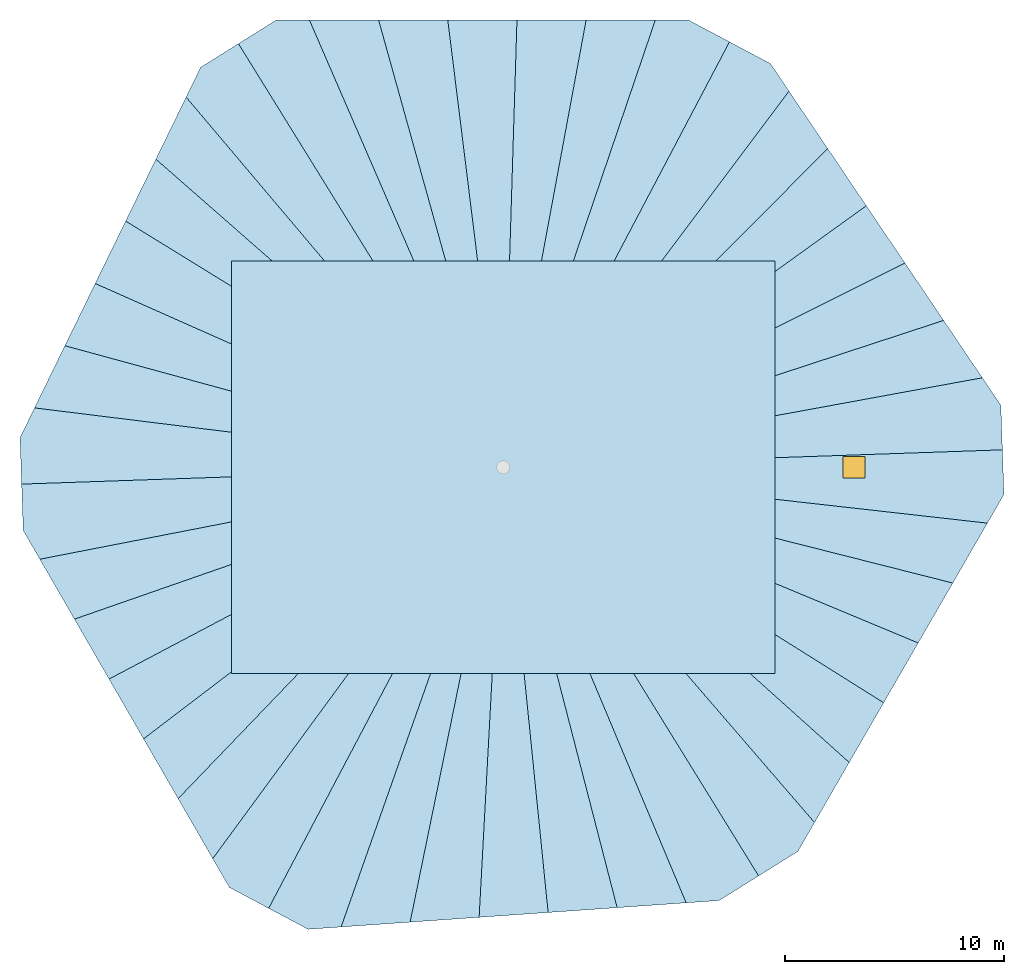
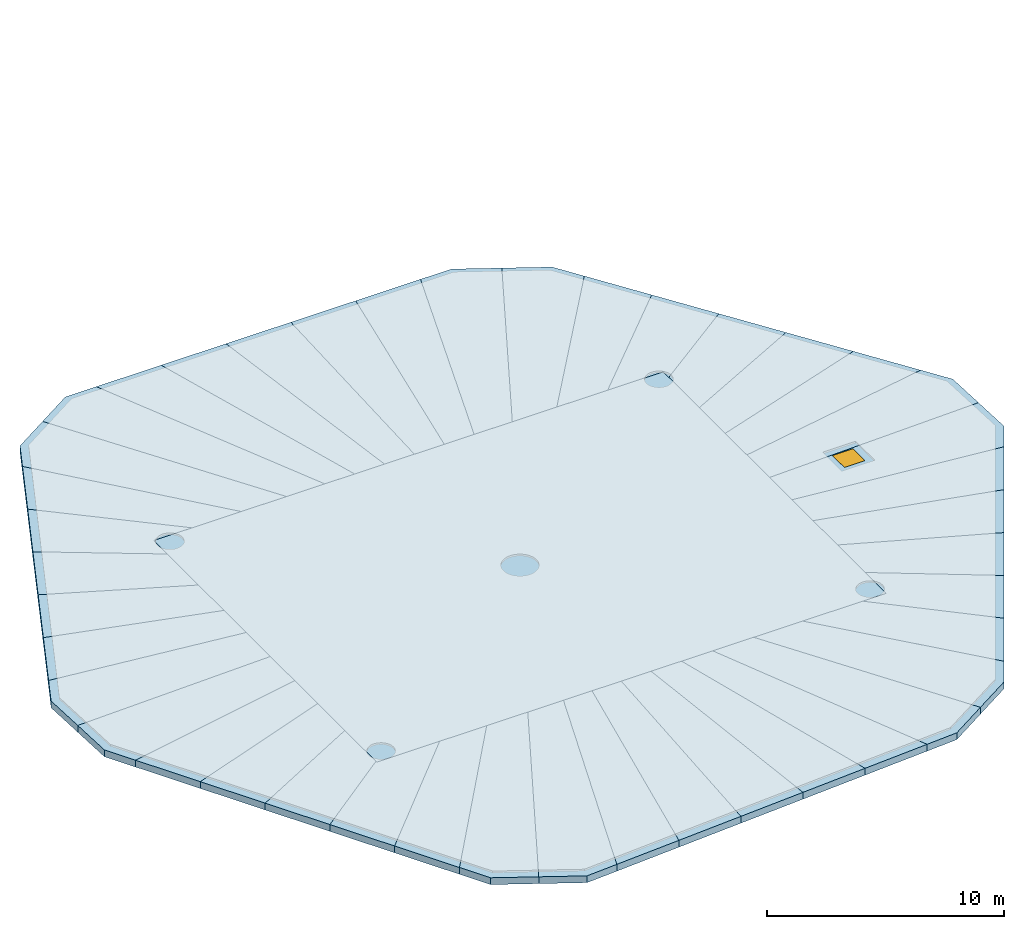
"""IFC4 building model written with IfcOpenShell, lengths in metres."""

from ifc_helpers import new_model, si_unit, direction, frame, origin, origin_2d, place, context, subcontext, project, spatial, polyline, rectangle, outline, extrude, material, layer, layer_set, type_object, element, fill, save


model = new_model("IFC4")

# Units and contexts
model_context = context("Model", 3, precision=1e-05, world=origin(), true_north=direction((0.0, 1.0)))
body_context = subcontext(model_context, "Body", "Model", "MODEL_VIEW")
ifc_project = project(units=[si_unit("LENGTHUNIT", "METRE"), si_unit("AREAUNIT", "SQUARE_METRE"), si_unit("VOLUMEUNIT", "CUBIC_METRE"), si_unit("PLANEANGLEUNIT", "RADIAN"), si_unit("MASSUNIT", "GRAM", prefix="KILO")], contexts=[model_context])

# Site, building, storey
site_placement = place(None, origin())
site = spatial("IfcSite", under=ifc_project, at=site_placement, CompositionType="ELEMENT")
building_placement = place(site_placement, origin())
building = spatial("IfcBuilding", under=site, at=building_placement, Name="Qingtian Harvest Tower", CompositionType="ELEMENT")
storey_1_placement = place(building_placement, frame((0.0, 0.0, 348.60009765625)))
storey_1 = spatial("IfcBuildingStorey", under=building, at=storey_1_placement, Name="ROOF", CompositionType="ELEMENT", Elevation=348.60009765625)

# Slabs
ifc_material_1 = material(Name="Concrete fc' 35 MPa", Category="concrete")
ifc_layer = layer(ifc_material_1, 0.35009765625)
ifc_layer_set = layer_set([ifc_layer], Name="Tower roof slab RS35 350")
slab_type = type_object("IfcSlabType", Name="Tower roof slab RS35 350", PredefinedType="ROOF", material=ifc_layer_set)
slab_1_placement = place(storey_1_placement, frame((0.0, 0.0, -0.35009765625)))
element("IfcSlab", 1, at=slab_1_placement, inside=storey_1, type_object=slab_type, Name="Tower roof panel DC", PredefinedType="ROOF", context=body_context, shape_type="SweptSolid", body=[
    extrude(outline(polyline([(-12.39990234375, -9.39990234375), (-12.39990234375, 9.39990234375), (12.39990234375, 9.39990234375), (12.39990234375, -9.39990234375), (-12.39990234375, -9.39990234375)])), origin(), (0.0, 0.0, 1.0), 0.35009765625),
])
slab_2_placement = place(storey_1_placement, frame((0.0, 0.0, -0.35009765625)))
element("IfcSlab", 2, at=slab_2_placement, inside=storey_1, type_object=slab_type, Name="Tower roof panel D01", PredefinedType="ROOF", context=body_context, shape_type="SweptSolid", body=[
    extrude(outline(polyline([(-21.890380859375, -2.884765625), (-21.96435546875, -0.767333984375), (-12.39990234375, -0.436767578125), (-12.39990234375, -2.49267578125), (-21.134765625, -4.193603515625), (-21.890380859375, -2.884765625)])), origin(), (0.0, 0.0, 1.0), 0.35009765625),
])
slab_3_placement = place(storey_1_placement, frame((0.0, 0.0, -0.35009765625)))
element("IfcSlab", 3, at=slab_3_placement, inside=storey_1, type_object=slab_type, Name="Tower roof panel D02", PredefinedType="ROOF", context=body_context, shape_type="SweptSolid", body=[
    extrude(outline(polyline([(-21.134765625, -4.193603515625), (-12.39990234375, -2.49267578125), (-12.39990234375, -4.43212890625), (-19.556640625, -6.9267578125), (-21.134765625, -4.193603515625)])), origin(), (0.0, 0.0, 1.0), 0.35009765625),
])
slab_4_placement = place(storey_1_placement, frame((0.0, 0.0, -0.35009765625)))
element("IfcSlab", 4, at=slab_4_placement, inside=storey_1, type_object=slab_type, Name="Tower roof panel D03", PredefinedType="ROOF", context=body_context, shape_type="SweptSolid", body=[
    extrude(outline(polyline([(-19.556640625, -6.9267578125), (-12.39990234375, -4.43212890625), (-12.39990234375, -6.7138671875), (-17.978515625, -9.66015625), (-19.556640625, -6.9267578125)])), origin(), (0.0, 0.0, 1.0), 0.35009765625),
])
slab_5_placement = place(storey_1_placement, frame((0.0, 0.0, -0.35009765625)))
element("IfcSlab", 5, at=slab_5_placement, inside=storey_1, type_object=slab_type, Name="Tower roof panel D04", PredefinedType="ROOF", context=body_context, shape_type="SweptSolid", body=[
    extrude(outline(polyline([(-17.978515625, -9.66015625), (-12.39990234375, -6.7138671875), (-12.39990234375, -9.33447265625), (-16.404296875, -12.386962890625), (-17.978515625, -9.66015625)])), origin(), (0.0, 0.0, 1.0), 0.35009765625),
])
slab_6_placement = place(storey_1_placement, frame((0.0, 0.0, -0.35009765625)))
element("IfcSlab", 6, at=slab_6_placement, inside=storey_1, type_object=slab_type, Name="Tower roof panel D05", PredefinedType="ROOF", context=body_context, shape_type="SweptSolid", body=[
    extrude(outline(polyline([(-16.404296875, -12.386962890625), (-12.39990234375, -9.33447265625), (-12.39990234375, -9.39990234375), (-9.33642578125, -9.39990234375), (-14.82861328125, -15.115966796875), (-16.404296875, -12.386962890625)])), origin(), (0.0, 0.0, 1.0), 0.35009765625),
])
slab_7_placement = place(storey_1_placement, frame((0.0, 0.0, -0.35009765625)))
element("IfcSlab", 7, at=slab_7_placement, inside=storey_1, type_object=slab_type, Name="Tower roof panel D06", PredefinedType="ROOF", context=body_context, shape_type="SweptSolid", body=[
    extrude(outline(polyline([(-14.82861328125, -15.115966796875), (-9.33642578125, -9.39990234375), (-7.0478515625, -9.39990234375), (-13.249755859375, -17.850830078125), (-14.82861328125, -15.115966796875)])), origin(), (0.0, 0.0, 1.0), 0.35009765625),
])
slab_8_placement = place(storey_1_placement, frame((0.0, 0.0, -0.35009765625)))
element("IfcSlab", 8, at=slab_8_placement, inside=storey_1, type_object=slab_type, Name="Tower roof panel D07", PredefinedType="ROOF", context=body_context, shape_type="SweptSolid", body=[
    extrude(outline(polyline([(-12.4931640625, -19.1611328125), (-13.249755859375, -17.850830078125), (-7.0478515625, -9.39990234375), (-5.04638671875, -9.39990234375), (-10.6982421875, -20.115478515625), (-12.4931640625, -19.1611328125)])), origin(), (0.0, 0.0, 1.0), 0.35009765625),
])
slab_9_placement = place(storey_1_placement, frame((0.0, 0.0, -0.35009765625)))
element("IfcSlab", 9, at=slab_9_placement, inside=storey_1, type_object=slab_type, Name="Tower roof panel D08", PredefinedType="ROOF", context=body_context, shape_type="SweptSolid", body=[
    extrude(outline(polyline([(-8.899169921875, -21.072021484375), (-10.6982421875, -20.115478515625), (-5.04638671875, -9.39990234375), (-3.311279296875, -9.39990234375), (-7.3935546875, -20.966796875), (-8.899169921875, -21.072021484375)])), origin(), (0.0, 0.0, 1.0), 0.35009765625),
])
slab_10_placement = place(storey_1_placement, frame((0.0, 0.0, -0.35009765625)))
element("IfcSlab", 10, at=slab_10_placement, inside=storey_1, type_object=slab_type, Name="Tower roof panel D09", PredefinedType="ROOF", context=body_context, shape_type="SweptSolid", body=[
    extrude(outline(polyline([(-7.3935546875, -20.966796875), (-3.311279296875, -9.39990234375), (-1.920166015625, -9.39990234375), (-4.24609375, -20.746826171875), (-7.3935546875, -20.966796875)])), origin(), (0.0, 0.0, 1.0), 0.35009765625),
])
slab_11_placement = place(storey_1_placement, frame((0.0, 0.0, -0.35009765625)))
element("IfcSlab", 11, at=slab_11_placement, inside=storey_1, type_object=slab_type, Name="Tower roof panel D10", PredefinedType="ROOF", context=body_context, shape_type="SweptSolid", body=[
    extrude(outline(polyline([(-4.24609375, -20.746826171875), (-1.920166015625, -9.39990234375), (-0.499267578125, -9.39990234375), (-1.098388671875, -20.526611328125), (-4.24609375, -20.746826171875)])), origin(), (0.0, 0.0, 1.0), 0.35009765625),
])
slab_12_placement = place(storey_1_placement, frame((0.0, 0.0, -0.35009765625)))
element("IfcSlab", 12, at=slab_12_placement, inside=storey_1, type_object=slab_type, Name="Tower roof panel D11", PredefinedType="ROOF", context=body_context, shape_type="SweptSolid", body=[
    extrude(outline(polyline([(-1.098388671875, -20.526611328125), (-0.499267578125, -9.39990234375), (0.952392578125, -9.39990234375), (2.049072265625, -20.306640625), (-1.098388671875, -20.526611328125)])), origin(), (0.0, 0.0, 1.0), 0.35009765625),
])
slab_13_placement = place(storey_1_placement, frame((0.0, 0.0, -0.35009765625)))
element("IfcSlab", 13, at=slab_13_placement, inside=storey_1, type_object=slab_type, Name="Tower roof panel D12", PredefinedType="ROOF", context=body_context, shape_type="SweptSolid", body=[
    extrude(outline(polyline([(2.049072265625, -20.306640625), (0.952392578125, -9.39990234375), (2.43603515625, -9.39990234375), (5.196533203125, -20.08642578125), (2.049072265625, -20.306640625)])), origin(), (0.0, 0.0, 1.0), 0.35009765625),
])
slab_14_placement = place(storey_1_placement, frame((0.0, 0.0, -0.35009765625)))
element("IfcSlab", 14, at=slab_14_placement, inside=storey_1, type_object=slab_type, Name="Tower roof panel D13", PredefinedType="ROOF", context=body_context, shape_type="SweptSolid", body=[
    extrude(outline(polyline([(5.196533203125, -20.08642578125), (2.43603515625, -9.39990234375), (3.952392578125, -9.39990234375), (8.34423828125, -19.8662109375), (5.196533203125, -20.08642578125)])), origin(), (0.0, 0.0, 1.0), 0.35009765625),
])
slab_15_placement = place(storey_1_placement, frame((0.0, 0.0, -0.35009765625)))
element("IfcSlab", 15, at=slab_15_placement, inside=storey_1, type_object=slab_type, Name="Tower roof panel D14", PredefinedType="ROOF", context=body_context, shape_type="SweptSolid", body=[
    extrude(outline(polyline([(9.849365234375, -19.760986328125), (8.34423828125, -19.8662109375), (3.952392578125, -9.39990234375), (5.945556640625, -9.39990234375), (11.6494140625, -18.63623046875), (9.849365234375, -19.760986328125)])), origin(), (0.0, 0.0, 1.0), 0.35009765625),
])
slab_16_placement = place(storey_1_placement, frame((0.0, 0.0, -0.35009765625)))
element("IfcSlab", 16, at=slab_16_placement, inside=storey_1, type_object=slab_type, Name="Tower roof panel D15", PredefinedType="ROOF", context=body_context, shape_type="SweptSolid", body=[
    extrude(outline(polyline([(13.443603515625, -17.51513671875), (11.6494140625, -18.63623046875), (5.945556640625, -9.39990234375), (8.331787109375, -9.39990234375), (14.20068359375, -16.203857421875), (13.443603515625, -17.51513671875)])), origin(), (0.0, 0.0, 1.0), 0.35009765625),
])
slab_17_placement = place(storey_1_placement, frame((0.0, 0.0, -0.35009765625)))
element("IfcSlab", 17, at=slab_17_placement, inside=storey_1, type_object=slab_type, Name="Tower roof panel D16", PredefinedType="ROOF", context=body_context, shape_type="SweptSolid", body=[
    extrude(outline(polyline([(14.20068359375, -16.203857421875), (8.331787109375, -9.39990234375), (11.25244140625, -9.39990234375), (15.783203125, -13.462890625), (14.20068359375, -16.203857421875)])), origin(), (0.0, 0.0, 1.0), 0.35009765625),
])
slab_18_placement = place(storey_1_placement, frame((0.0, 0.0, -0.35009765625)))
element("IfcSlab", 18, at=slab_18_placement, inside=storey_1, type_object=slab_type, Name="Tower roof panel D17", PredefinedType="ROOF", context=body_context, shape_type="SweptSolid", body=[
    extrude(outline(polyline([(15.783203125, -13.462890625), (11.25244140625, -9.39990234375), (12.39990234375, -9.39990234375), (12.39990234375, -7.629638671875), (17.35498046875, -10.739990234375), (15.783203125, -13.462890625)])), origin(), (0.0, 0.0, 1.0), 0.35009765625),
])
slab_19_placement = place(storey_1_placement, frame((0.0, 0.0, -0.35009765625)))
element("IfcSlab", 19, at=slab_19_placement, inside=storey_1, type_object=slab_type, Name="Tower roof panel D18", PredefinedType="ROOF", context=body_context, shape_type="SweptSolid", body=[
    extrude(outline(polyline([(17.35498046875, -10.739990234375), (12.39990234375, -7.629638671875), (12.39990234375, -5.293701171875), (18.92919921875, -8.013671875), (17.35498046875, -10.739990234375)])), origin(), (0.0, 0.0, 1.0), 0.35009765625),
])
slab_20_placement = place(storey_1_placement, frame((0.0, 0.0, -0.35009765625)))
element("IfcSlab", 20, at=slab_20_placement, inside=storey_1, type_object=slab_type, Name="Tower roof panel D19", PredefinedType="ROOF", context=body_context, shape_type="SweptSolid", body=[
    extrude(outline(polyline([(18.92919921875, -8.013671875), (12.39990234375, -5.293701171875), (12.39990234375, -3.22802734375), (20.507080078125, -5.280517578125), (18.92919921875, -8.013671875)])), origin(), (0.0, 0.0, 1.0), 0.35009765625),
])
slab_21_placement = place(storey_1_placement, frame((0.0, 0.0, -0.35009765625)))
element("IfcSlab", 21, at=slab_21_placement, inside=storey_1, type_object=slab_type, Name="Tower roof panel D20", PredefinedType="ROOF", context=body_context, shape_type="SweptSolid", body=[
    extrude(outline(polyline([(20.507080078125, -5.280517578125), (12.39990234375, -3.22802734375), (12.39990234375, -1.45849609375), (22.0849609375, -2.547607421875), (20.507080078125, -5.280517578125)])), origin(), (0.0, 0.0, 1.0), 0.35009765625),
])

# Slab, opening
slab_22_placement = place(storey_1_placement, frame((0.0, 0.0, -0.35009765625)))
slab_22 = element("IfcSlab", 22, at=slab_22_placement, inside=storey_1, type_object=slab_type, Name="Tower roof panel D21", PredefinedType="ROOF", context=body_context, shape_type="SweptSolid", body=[
    extrude(outline(polyline([(22.840576171875, -1.239013671875), (22.0849609375, -2.547607421875), (12.39990234375, -1.45849609375), (12.39990234375, 0.436279296875), (22.76953125, 0.79541015625), (22.840576171875, -1.239013671875)])), origin(), (0.0, 0.0, 1.0), 0.35009765625),
])
opening_placement = place(slab_22_placement, frame((16.0, 0.0, 0.0)))
opening = element("IfcOpeningElement", 23, at=opening_placement, cuts=slab_22, Name="Opening RH1", PredefinedType="OPENING", context=body_context, shape_type="SweptSolid", body=[
    extrude(rectangle(XDim=1.0, YDim=1.0, at=origin_2d()), origin(), (0.0, 0.0, 1.0), 0.35009765625),
])

# Storey
storey_2_placement = place(building_placement, frame((0.0, 0.0, 343.60009765625)))
storey_2 = spatial("IfcBuildingStorey", under=building, at=storey_2_placement, Name="L76", CompositionType="ELEMENT", Elevation=343.60009765625)

# Window
ifc_material_2 = material(Name="Aluminium roof hatch", Category="aluminium")
window_type = type_object("IfcWindowType", Name="Roof access hatch RH1", PartitioningType="SINGLE_PANEL", PredefinedType="SKYLIGHT", material=ifc_material_2)
window_placement = place(opening_placement, frame((0.0, 0.0, 0.300048828125)))
window = element("IfcWindow", 24, at=window_placement, inside=storey_2, type_object=window_type, Name="Roof access hatch RH1", OverallHeight=1.0, OverallWidth=1.0, PartitioningType="SINGLE_PANEL", PredefinedType="SKYLIGHT", context=body_context, shape_type="SweptSolid", body=[
    extrude(rectangle(XDim=1.0, YDim=1.0, at=origin_2d()), origin(), (0.0, 0.0, 1.0), 0.050048828125),
])

fill(opening, window)

# Slabs
slab_23_placement = place(storey_1_placement, frame((0.0, 0.0, -0.35009765625)))
element("IfcSlab", 25, at=slab_23_placement, inside=storey_1, type_object=slab_type, Name="Tower roof panel D22", PredefinedType="ROOF", context=body_context, shape_type="SweptSolid", body=[
    extrude(outline(polyline([(22.698486328125, 2.8291015625), (22.76953125, 0.79541015625), (12.39990234375, 0.436279296875), (12.39990234375, 2.348876953125), (21.853271484375, 4.082275390625), (22.698486328125, 2.8291015625)])), origin(), (0.0, 0.0, 1.0), 0.35009765625),
])
slab_24_placement = place(storey_1_placement, frame((0.0, 0.0, -0.35009765625)))
element("IfcSlab", 26, at=slab_24_placement, inside=storey_1, type_object=slab_type, Name="Tower roof panel D23", PredefinedType="ROOF", context=body_context, shape_type="SweptSolid", body=[
    extrude(outline(polyline([(21.853271484375, 4.082275390625), (12.39990234375, 2.348876953125), (12.39990234375, 4.176513671875), (20.088623046875, 6.698486328125), (21.853271484375, 4.082275390625)])), origin(), (0.0, 0.0, 1.0), 0.35009765625),
])
slab_25_placement = place(storey_1_placement, frame((0.0, 0.0, -0.35009765625)))
element("IfcSlab", 27, at=slab_25_placement, inside=storey_1, type_object=slab_type, Name="Tower roof panel D24", PredefinedType="ROOF", context=body_context, shape_type="SweptSolid", body=[
    extrude(outline(polyline([(20.088623046875, 6.698486328125), (12.39990234375, 4.176513671875), (12.39990234375, 6.358154296875), (18.323486328125, 9.3154296875), (20.088623046875, 6.698486328125)])), origin(), (0.0, 0.0, 1.0), 0.35009765625),
])
slab_26_placement = place(storey_1_placement, frame((0.0, 0.0, -0.35009765625)))
element("IfcSlab", 28, at=slab_26_placement, inside=storey_1, type_object=slab_type, Name="Tower roof panel D25", PredefinedType="ROOF", context=body_context, shape_type="SweptSolid", body=[
    extrude(outline(polyline([(18.323486328125, 9.3154296875), (12.39990234375, 6.358154296875), (12.39990234375, 8.929931640625), (16.5615234375, 11.927734375), (18.323486328125, 9.3154296875)])), origin(), (0.0, 0.0, 1.0), 0.35009765625),
])
slab_27_placement = place(storey_1_placement, frame((0.0, 0.0, -0.35009765625)))
element("IfcSlab", 29, at=slab_27_placement, inside=storey_1, type_object=slab_type, Name="Tower roof panel D26", PredefinedType="ROOF", context=body_context, shape_type="SweptSolid", body=[
    extrude(outline(polyline([(16.5615234375, 11.927734375), (12.39990234375, 8.929931640625), (12.39990234375, 9.39990234375), (9.693603515625, 9.39990234375), (14.80126953125, 14.53759765625), (16.5615234375, 11.927734375)])), origin(), (0.0, 0.0, 1.0), 0.35009765625),
])
slab_28_placement = place(storey_1_placement, frame((0.0, 0.0, -0.35009765625)))
element("IfcSlab", 30, at=slab_28_placement, inside=storey_1, type_object=slab_type, Name="Tower roof panel D27", PredefinedType="ROOF", context=body_context, shape_type="SweptSolid", body=[
    extrude(outline(polyline([(14.80126953125, 14.53759765625), (9.693603515625, 9.39990234375), (7.21826171875, 9.39990234375), (13.03515625, 17.15576171875), (14.80126953125, 14.53759765625)])), origin(), (0.0, 0.0, 1.0), 0.35009765625),
])
slab_29_placement = place(storey_1_placement, frame((0.0, 0.0, -0.35009765625)))
element("IfcSlab", 31, at=slab_29_placement, inside=storey_1, type_object=slab_type, Name="Tower roof panel D28", PredefinedType="ROOF", context=body_context, shape_type="SweptSolid", body=[
    extrude(outline(polyline([(12.18896484375, 18.410400390625), (13.03515625, 17.15576171875), (7.21826171875, 9.39990234375), (5.05419921875, 9.39990234375), (10.3203125, 19.40380859375), (12.18896484375, 18.410400390625)])), origin(), (0.0, 0.0, 1.0), 0.35009765625),
])
slab_30_placement = place(storey_1_placement, frame((0.0, 0.0, -0.35009765625)))
element("IfcSlab", 32, at=slab_30_placement, inside=storey_1, type_object=slab_type, Name="Tower roof panel D29", PredefinedType="ROOF", context=body_context, shape_type="SweptSolid", body=[
    extrude(outline(polyline([(10.3203125, 19.40380859375), (5.05419921875, 9.39990234375), (3.19677734375, 9.39990234375), (6.937744140625, 20.39990234375), (8.44677734375, 20.39990234375), (10.3203125, 19.40380859375)])), origin(), (0.0, 0.0, 1.0), 0.35009765625),
])
slab_31_placement = place(storey_1_placement, frame((0.0, 0.0, -0.35009765625)))
element("IfcSlab", 33, at=slab_31_placement, inside=storey_1, type_object=slab_type, Name="Tower roof panel D30", PredefinedType="ROOF", context=body_context, shape_type="SweptSolid", body=[
    extrude(outline(polyline([(6.937744140625, 20.39990234375), (3.19677734375, 9.39990234375), (1.742919921875, 9.39990234375), (3.78271484375, 20.39990234375), (6.937744140625, 20.39990234375)])), origin(), (0.0, 0.0, 1.0), 0.35009765625),
])
slab_32_placement = place(storey_1_placement, frame((0.0, 0.0, -0.35009765625)))
element("IfcSlab", 34, at=slab_32_placement, inside=storey_1, type_object=slab_type, Name="Tower roof panel D31", PredefinedType="ROOF", context=body_context, shape_type="SweptSolid", body=[
    extrude(outline(polyline([(3.78271484375, 20.39990234375), (1.742919921875, 9.39990234375), (0.2890625, 9.39990234375), (0.62744140625, 20.39990234375), (3.78271484375, 20.39990234375)])), origin(), (0.0, 0.0, 1.0), 0.35009765625),
])
slab_33_placement = place(storey_1_placement, frame((0.0, 0.0, -0.35009765625)))
element("IfcSlab", 35, at=slab_33_placement, inside=storey_1, type_object=slab_type, Name="Tower roof panel D32", PredefinedType="ROOF", context=body_context, shape_type="SweptSolid", body=[
    extrude(outline(polyline([(0.62744140625, 20.39990234375), (0.2890625, 9.39990234375), (-1.164794921875, 9.39990234375), (-2.52783203125, 20.39990234375), (0.62744140625, 20.39990234375)])), origin(), (0.0, 0.0, 1.0), 0.35009765625),
])
slab_34_placement = place(storey_1_placement, frame((0.0, 0.0, -0.35009765625)))
element("IfcSlab", 36, at=slab_34_placement, inside=storey_1, type_object=slab_type, Name="Tower roof panel D33", PredefinedType="ROOF", context=body_context, shape_type="SweptSolid", body=[
    extrude(outline(polyline([(-2.52783203125, 20.39990234375), (-1.164794921875, 9.39990234375), (-2.61865234375, 9.39990234375), (-5.68310546875, 20.39990234375), (-2.52783203125, 20.39990234375)])), origin(), (0.0, 0.0, 1.0), 0.35009765625),
])
slab_35_placement = place(storey_1_placement, frame((0.0, 0.0, -0.35009765625)))
element("IfcSlab", 37, at=slab_35_placement, inside=storey_1, type_object=slab_type, Name="Tower roof panel D34", PredefinedType="ROOF", context=body_context, shape_type="SweptSolid", body=[
    extrude(outline(polyline([(-5.68310546875, 20.39990234375), (-2.61865234375, 9.39990234375), (-4.072509765625, 9.39990234375), (-8.83837890625, 20.39990234375), (-5.68310546875, 20.39990234375)])), origin(), (0.0, 0.0, 1.0), 0.35009765625),
])
slab_36_placement = place(storey_1_placement, frame((0.0, 0.0, -0.35009765625)))
element("IfcSlab", 38, at=slab_36_placement, inside=storey_1, type_object=slab_type, Name="Tower roof panel D35", PredefinedType="ROOF", context=body_context, shape_type="SweptSolid", body=[
    extrude(outline(polyline([(-10.347412109375, 20.39990234375), (-8.83837890625, 20.39990234375), (-4.072509765625, 9.39990234375), (-5.935302734375, 9.39990234375), (-12.075927734375, 19.31982421875), (-10.347412109375, 20.39990234375)])), origin(), (0.0, 0.0, 1.0), 0.35009765625),
])
slab_37_placement = place(storey_1_placement, frame((0.0, 0.0, -0.35009765625)))
element("IfcSlab", 39, at=slab_37_placement, inside=storey_1, type_object=slab_type, Name="Tower roof panel D36", PredefinedType="ROOF", context=body_context, shape_type="SweptSolid", body=[
    extrude(outline(polyline([(-13.79931640625, 18.242919921875), (-12.075927734375, 19.31982421875), (-5.935302734375, 9.39990234375), (-8.139404296875, 9.39990234375), (-14.462890625, 16.88232421875), (-13.79931640625, 18.242919921875)])), origin(), (0.0, 0.0, 1.0), 0.35009765625),
])
slab_38_placement = place(storey_1_placement, frame((0.0, 0.0, -0.35009765625)))
element("IfcSlab", 40, at=slab_38_placement, inside=storey_1, type_object=slab_type, Name="Tower roof panel D37", PredefinedType="ROOF", context=body_context, shape_type="SweptSolid", body=[
    extrude(outline(polyline([(-14.462890625, 16.88232421875), (-8.139404296875, 9.39990234375), (-10.529052734375, 9.39990234375), (-15.84228515625, 14.05419921875), (-14.462890625, 16.88232421875)])), origin(), (0.0, 0.0, 1.0), 0.35009765625),
])
slab_39_placement = place(storey_1_placement, frame((0.0, 0.0, -0.35009765625)))
element("IfcSlab", 41, at=slab_39_placement, inside=storey_1, type_object=slab_type, Name="Tower roof panel D38", PredefinedType="ROOF", context=body_context, shape_type="SweptSolid", body=[
    extrude(outline(polyline([(-15.84228515625, 14.05419921875), (-10.529052734375, 9.39990234375), (-12.39990234375, 9.39990234375), (-12.39990234375, 8.259033203125), (-17.220703125, 11.228515625), (-15.84228515625, 14.05419921875)])), origin(), (0.0, 0.0, 1.0), 0.35009765625),
])
slab_40_placement = place(storey_1_placement, frame((0.0, 0.0, -0.35009765625)))
element("IfcSlab", 42, at=slab_40_placement, inside=storey_1, type_object=slab_type, Name="Tower roof panel D39", PredefinedType="ROOF", context=body_context, shape_type="SweptSolid", body=[
    extrude(outline(polyline([(-17.220703125, 11.228515625), (-12.39990234375, 8.259033203125), (-12.39990234375, 5.625732421875), (-18.609130859375, 8.3818359375), (-17.220703125, 11.228515625)])), origin(), (0.0, 0.0, 1.0), 0.35009765625),
])
slab_41_placement = place(storey_1_placement, frame((0.0, 0.0, -0.35009765625)))
element("IfcSlab", 43, at=slab_41_placement, inside=storey_1, type_object=slab_type, Name="Tower roof panel D40", PredefinedType="ROOF", context=body_context, shape_type="SweptSolid", body=[
    extrude(outline(polyline([(-18.609130859375, 8.3818359375), (-12.39990234375, 5.625732421875), (-12.39990234375, 3.472412109375), (-19.992431640625, 5.545166015625), (-18.609130859375, 8.3818359375)])), origin(), (0.0, 0.0, 1.0), 0.35009765625),
])
slab_42_placement = place(storey_1_placement, frame((0.0, 0.0, -0.35009765625)))
element("IfcSlab", 44, at=slab_42_placement, inside=storey_1, type_object=slab_type, Name="Tower roof panel D41", PredefinedType="ROOF", context=body_context, shape_type="SweptSolid", body=[
    extrude(outline(polyline([(-19.992431640625, 5.545166015625), (-12.39990234375, 3.472412109375), (-12.39990234375, 1.5986328125), (-21.3759765625, 2.708740234375), (-19.992431640625, 5.545166015625)])), origin(), (0.0, 0.0, 1.0), 0.35009765625),
])
slab_43_placement = place(storey_1_placement, frame((0.0, 0.0, -0.35009765625)))
element("IfcSlab", 45, at=slab_43_placement, inside=storey_1, type_object=slab_type, Name="Tower roof panel D42", PredefinedType="ROOF", context=body_context, shape_type="SweptSolid", body=[
    extrude(outline(polyline([(-22.038330078125, 1.350830078125), (-21.3759765625, 2.708740234375), (-12.39990234375, 1.5986328125), (-12.39990234375, -0.436767578125), (-21.96435546875, -0.767333984375), (-22.038330078125, 1.350830078125)])), origin(), (0.0, 0.0, 1.0), 0.35009765625),
])

save(model, "model.ifc")
